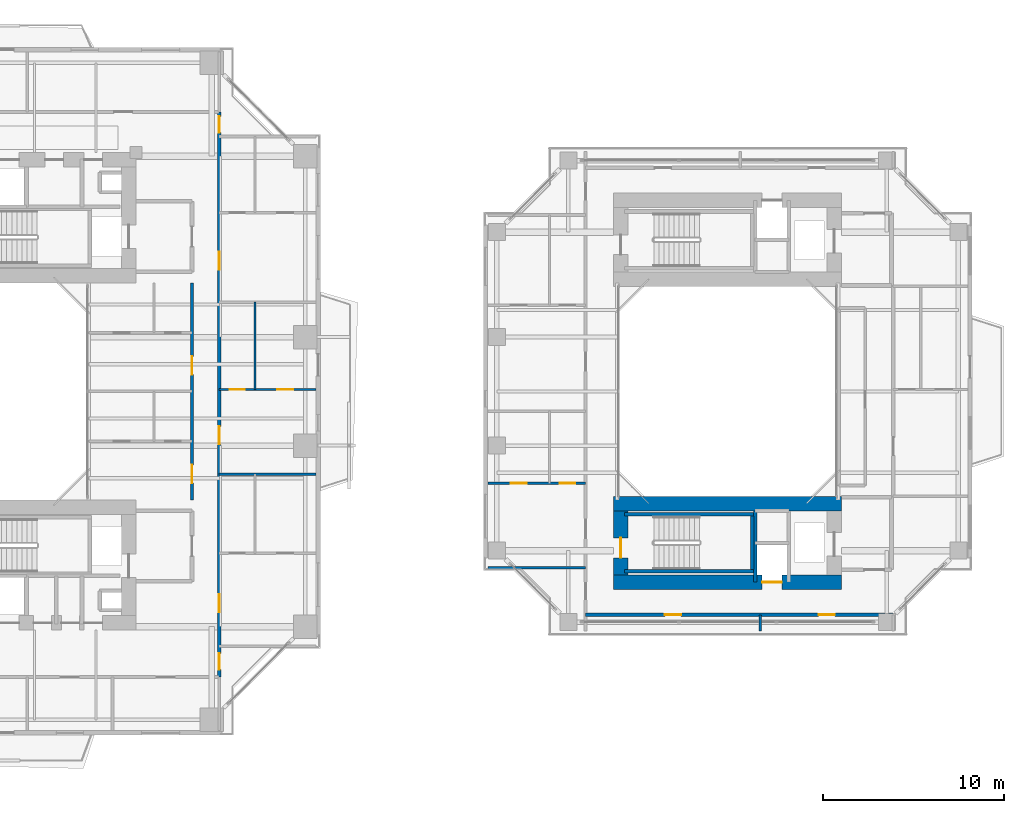
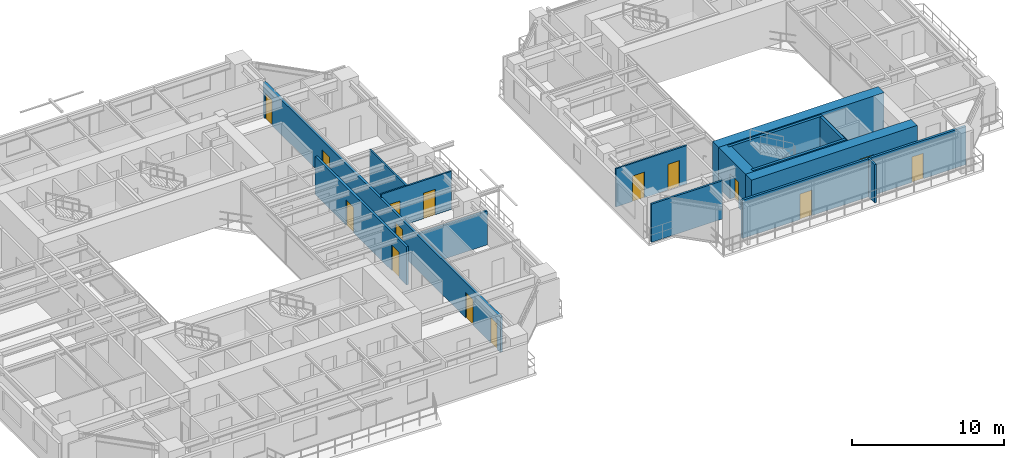
# One storey, part 15 of 24: 16 walls, 15 doors, 15 openings.
"""IFC4 building model written with IfcOpenShell, lengths in metres."""

from ifc_helpers import new_model, si_unit, direction, frame, frame_2d, origin, place, context, subcontext, project, spatial, rectangle, extrude, source, transform, mapped, material, layer, layer_set, type_object, element, fill, save


model = new_model("IFC4")

# Units and contexts
model_context = context("Model", 3, precision=1e-05, world=origin(), true_north=direction((0.0, 1.0)))
body_context = subcontext(model_context, "Body", "Model", "MODEL_VIEW")
ifc_project = project(units=[si_unit("LENGTHUNIT", "METRE"), si_unit("AREAUNIT", "SQUARE_METRE"), si_unit("VOLUMEUNIT", "CUBIC_METRE"), si_unit("PLANEANGLEUNIT", "RADIAN"), si_unit("MASSUNIT", "GRAM", prefix="KILO"), si_unit("THERMODYNAMICTEMPERATUREUNIT", "KELVIN"), si_unit("POWERUNIT", "WATT")], contexts=[model_context])

# Site, building, storey
site_placement = place(None, origin())
site = spatial("IfcSite", under=ifc_project, at=site_placement, CompositionType="ELEMENT")
building_placement = place(site_placement, origin())
building = spatial("IfcBuilding", under=site, at=building_placement, Name="Qiaomeng Ring Towers", CompositionType="ELEMENT")
storey_placement = place(building_placement, frame((0.0, 0.0, 56.75)))
storey = spatial("IfcBuildingStorey", under=building, at=storey_placement, Name="L15", CompositionType="ELEMENT", Elevation=56.75)

# Wall, openings, doors
ifc_material_1 = material(Name="Autoclaved aerated concrete block", Category="concrete")
ifc_layer_1 = layer(ifc_material_1, 0.179931640625, Name="Autoclaved aerated concrete block")
ifc_layer_set_1 = layer_set([ifc_layer_1], Name="Autoclaved aerated concrete block")
wall_type_1 = type_object("IfcWallType", Name="ARC-WL-PW2", PredefinedType="PARTITIONING", material=ifc_layer_set_1)
wall_1_placement = place(storey_placement, frame((32.39990234375, 7.2099609375, 0.0), z_axis=(0.0, 0.0, 1.0), x_axis=(0.0, 1.0, 0.0)))
wall_1 = element("IfcWall", 1, at=wall_1_placement, inside=storey, type_object=wall_type_1, Name="L15 Interior Wall PW2", PredefinedType="PARTITIONING", context=body_context, shape_type="SweptSolid", body=[
    extrude(rectangle(XDim=31.22998046875, YDim=0.179931640625, at=frame_2d((15.614990234375, 0.0))), origin(), (0.0, 0.0, 1.0), 2.81494140625),
])
opening_1_placement = place(wall_1_placement, frame((30.090087890625, 0.0, 0.0)))
opening_1 = element("IfcOpeningElement", 2, at=opening_1_placement, cuts=wall_1, Name="Opening ID1", PredefinedType="OPENING", context=body_context, shape_type="SweptSolid", body=[
    extrude(rectangle(XDim=0.89990234375, YDim=2.050048828125, at=frame_2d((0.449951171875, 1.02490234375))), frame((0.0, 0.099853515625, 0.0), z_axis=(0.0, -1.0, 0.0), x_axis=(1.0, 0.0, 0.0)), (0.0, 0.0, 1.0), 0.199951171875),
])
opening_2_placement = place(wall_1_placement, frame((0.4150390625, 0.0, 0.0)))
opening_2 = element("IfcOpeningElement", 3, at=opening_2_placement, cuts=wall_1, Name="Opening ID1", PredefinedType="OPENING", context=body_context, shape_type="SweptSolid", body=[
    extrude(rectangle(XDim=0.89990234375, YDim=2.050048828125, at=frame_2d((0.449951171875, 1.02490234375))), frame((0.0, 0.099853515625, 0.0), z_axis=(0.0, -1.0, 0.0), x_axis=(1.0, 0.0, 0.0)), (0.0, 0.0, 1.0), 0.199951171875),
])
opening_3_placement = place(wall_1_placement, frame((3.5849609375, 0.0, 0.0)))
opening_3 = element("IfcOpeningElement", 4, at=opening_3_placement, cuts=wall_1, Name="Opening FD4", PredefinedType="OPENING", context=body_context, shape_type="SweptSolid", body=[
    extrude(rectangle(XDim=1.0, YDim=2.050048828125, at=frame_2d((0.5, 1.02490234375))), frame((0.0, 0.099853515625, 0.0), z_axis=(0.0, -1.0, 0.0), x_axis=(1.0, 0.0, 0.0)), (0.0, 0.0, 1.0), 0.199951171875),
])
opening_4_placement = place(wall_1_placement, frame((12.860107421875, 0.0, 0.0)))
opening_4 = element("IfcOpeningElement", 5, at=opening_4_placement, cuts=wall_1, Name="Opening FD4", PredefinedType="OPENING", context=body_context, shape_type="SweptSolid", body=[
    extrude(rectangle(XDim=1.0, YDim=2.050048828125, at=frame_2d((0.5, 1.02490234375))), frame((0.0, 0.099853515625, 0.0), z_axis=(0.0, -1.0, 0.0), x_axis=(1.0, 0.0, 0.0)), (0.0, 0.0, 1.0), 0.199951171875),
])
opening_5_placement = place(wall_1_placement, frame((22.5, 0.0, 0.0)))
opening_5 = element("IfcOpeningElement", 6, at=opening_5_placement, cuts=wall_1, Name="Opening FD4", PredefinedType="OPENING", context=body_context, shape_type="SweptSolid", body=[
    extrude(rectangle(XDim=1.0, YDim=2.050048828125, at=frame_2d((0.5, 1.02490234375))), frame((0.0, 0.099853515625, 0.0), z_axis=(0.0, -1.0, 0.0), x_axis=(1.0, 0.0, 0.0)), (0.0, 0.0, 1.0), 0.199951171875),
])
ifc_material_2 = material(Name="Engineered fire-rated oak timber", Category="wood")
door_type_1 = type_object("IfcDoorType", Name="ARC-DR-FD4", OperationType="NOTDEFINED", PredefinedType="DOOR", material=ifc_material_2)
shared_shape_1 = source(origin(), body_context, "Body", "SweptSolid", [
    extrude(rectangle(XDim=1.0, YDim=2.050048828125, at=frame_2d((0.5, 1.02490234375))), frame((0.0, 0.02490234375, 0.0), z_axis=(0.0, -1.0, 0.0), x_axis=(1.0, 0.0, 0.0)), (0.0, 0.0, 1.0), 0.050048828125),
])
door_1_placement = place(opening_3_placement, origin())
door_1 = element("IfcDoor", 7, at=door_1_placement, inside=storey, type_object=door_type_1, Name="L15 Door FD4", OperationType="SINGLE_SWING_LEFT", OverallHeight=2.050048828125, OverallWidth=1.0, PredefinedType="DOOR", context=body_context, shape_type="MappedRepresentation", body=[
    mapped(shared_shape_1, transform((0.0, 0.0, 0.0), x_axis=(1.0, 0.0, 0.0), y_axis=(0.0, 1.0, 0.0), z_axis=(0.0, 0.0, 1.0), scale=1.0)),
])
fill(opening_3, door_1)
door_2_placement = place(opening_4_placement, origin())
door_2 = element("IfcDoor", 8, at=door_2_placement, inside=storey, type_object=door_type_1, Name="L15 Door FD4", OperationType="SINGLE_SWING_RIGHT", OverallHeight=2.050048828125, OverallWidth=1.0, PredefinedType="DOOR", context=body_context, shape_type="MappedRepresentation", body=[
    mapped(shared_shape_1, transform((0.0, 0.0, 0.0), x_axis=(1.0, 0.0, 0.0), y_axis=(0.0, 1.0, 0.0), z_axis=(0.0, 0.0, 1.0), scale=1.0)),
])
fill(opening_4, door_2)
door_3_placement = place(opening_5_placement, origin())
door_3 = element("IfcDoor", 9, at=door_3_placement, inside=storey, type_object=door_type_1, Name="L15 Door FD4", OperationType="SINGLE_SWING_LEFT", OverallHeight=2.050048828125, OverallWidth=1.0, PredefinedType="DOOR", context=body_context, shape_type="MappedRepresentation", body=[
    mapped(shared_shape_1, transform((0.0, 0.0, 0.0), x_axis=(1.0, 0.0, 0.0), y_axis=(0.0, 1.0, 0.0), z_axis=(0.0, 0.0, 1.0), scale=1.0)),
])
fill(opening_5, door_3)
ifc_material_3 = material(Name="Engineered oak timber", Category="wood")
door_type_2 = type_object("IfcDoorType", Name="ARC-DR-ID1", OperationType="NOTDEFINED", PredefinedType="DOOR", material=ifc_material_3)
shared_shape_2 = source(origin(), body_context, "Body", "SweptSolid", [
    extrude(rectangle(XDim=0.89990234375, YDim=2.050048828125, at=frame_2d((0.449951171875, 1.02490234375))), frame((0.0, 0.02490234375, 0.0), z_axis=(0.0, -1.0, 0.0), x_axis=(1.0, 0.0, 0.0)), (0.0, 0.0, 1.0), 0.050048828125),
])
door_4_placement = place(opening_1_placement, origin())
door_4 = element("IfcDoor", 10, at=door_4_placement, inside=storey, type_object=door_type_2, Name="L15 Door ID1", OperationType="SINGLE_SWING_LEFT", OverallHeight=2.050048828125, OverallWidth=0.89990234375, PredefinedType="DOOR", context=body_context, shape_type="MappedRepresentation", body=[
    mapped(shared_shape_2, transform((0.0, 0.0, 0.0), x_axis=(1.0, 0.0, 0.0), y_axis=(0.0, 1.0, 0.0), z_axis=(0.0, 0.0, 1.0), scale=1.0)),
])
fill(opening_1, door_4)
door_5_placement = place(opening_2_placement, origin())
door_5 = element("IfcDoor", 11, at=door_5_placement, inside=storey, type_object=door_type_2, Name="L15 Door ID1", OperationType="SINGLE_SWING_RIGHT", OverallHeight=2.050048828125, OverallWidth=0.89990234375, PredefinedType="DOOR", context=body_context, shape_type="MappedRepresentation", body=[
    mapped(shared_shape_2, transform((0.0, 0.0, 0.0), x_axis=(1.0, 0.0, 0.0), y_axis=(0.0, 1.0, 0.0), z_axis=(0.0, 0.0, 1.0), scale=1.0)),
])
fill(opening_2, door_5)

wall_2_placement = place(storey_placement, frame((30.89990234375, 17.0, 0.0), z_axis=(0.0, 0.0, 1.0), x_axis=(0.0, 1.0, 0.0)))
wall_2 = element("IfcWall", 12, at=wall_2_placement, inside=storey, type_object=wall_type_1, Name="L15 Interior Wall PW2", PredefinedType="PARTITIONING", context=body_context, shape_type="SweptSolid", body=[
    extrude(rectangle(XDim=12.0, YDim=0.179931640625, at=frame_2d((6.0, 0.0))), origin(), (0.0, 0.0, 1.0), 3.070068359375),
])
opening_6_placement = place(wall_2_placement, frame((0.929931640625, 0.0, 0.0)))
opening_6 = element("IfcOpeningElement", 13, at=opening_6_placement, cuts=wall_2, Name="Opening FD4", PredefinedType="OPENING", context=body_context, shape_type="SweptSolid", body=[
    extrude(rectangle(XDim=1.0, YDim=2.050048828125, at=frame_2d((0.5, 1.02490234375))), frame((0.0, 0.099853515625, 0.0), z_axis=(0.0, -1.0, 0.0), x_axis=(1.0, 0.0, 0.0)), (0.0, 0.0, 1.0), 0.199951171875),
])
opening_7_placement = place(wall_2_placement, frame((6.929931640625, 0.0, 0.0)))
opening_7 = element("IfcOpeningElement", 14, at=opening_7_placement, cuts=wall_2, Name="Opening FD4", PredefinedType="OPENING", context=body_context, shape_type="SweptSolid", body=[
    extrude(rectangle(XDim=1.0, YDim=2.050048828125, at=frame_2d((0.5, 1.02490234375))), frame((0.0, 0.099853515625, 0.0), z_axis=(0.0, -1.0, 0.0), x_axis=(1.0, 0.0, 0.0)), (0.0, 0.0, 1.0), 0.199951171875),
])
door_6_placement = place(opening_6_placement, origin())
door_6 = element("IfcDoor", 15, at=door_6_placement, inside=storey, type_object=door_type_1, Name="L15 Door FD4", OperationType="SINGLE_SWING_RIGHT", OverallHeight=2.050048828125, OverallWidth=1.0, PredefinedType="DOOR", context=body_context, shape_type="MappedRepresentation", body=[
    mapped(shared_shape_1, transform((0.0, 0.0, 0.0), x_axis=(1.0, 0.0, 0.0), y_axis=(0.0, 1.0, 0.0), z_axis=(0.0, 0.0, 1.0), scale=1.0)),
])
fill(opening_6, door_6)
door_7_placement = place(opening_7_placement, origin())
door_7 = element("IfcDoor", 16, at=door_7_placement, inside=storey, type_object=door_type_1, Name="L15 Door FD4", OperationType="SINGLE_SWING_LEFT", OverallHeight=2.050048828125, OverallWidth=1.0, PredefinedType="DOOR", context=body_context, shape_type="MappedRepresentation", body=[
    mapped(shared_shape_1, transform((0.0, 0.0, 0.0), x_axis=(1.0, 0.0, 0.0), y_axis=(0.0, 1.0, 0.0), z_axis=(0.0, 0.0, 1.0), scale=1.0)),
])
fill(opening_7, door_7)

wall_3_placement = place(storey_placement, frame((52.64990234375, 10.64990234375, 0.0), z_axis=(0.0, 0.0, 1.0), x_axis=(1.0, 0.0, 0.0)))
wall_3 = element("IfcWall", 17, at=wall_3_placement, inside=storey, type_object=wall_type_1, Name="L15 Interior Wall PW2", PredefinedType="PARTITIONING", context=body_context, shape_type="SweptSolid", body=[
    extrude(rectangle(XDim=17.0, YDim=0.179931640625, at=frame_2d((8.5, 0.0))), origin(), (0.0, 0.0, 1.0), 3.070068359375),
])
opening_8_placement = place(wall_3_placement, frame((4.375, 0.0, 0.0)))
opening_8 = element("IfcOpeningElement", 18, at=opening_8_placement, cuts=wall_3, Name="Opening ID1", PredefinedType="OPENING", context=body_context, shape_type="SweptSolid", body=[
    extrude(rectangle(XDim=0.89990234375, YDim=2.050048828125, at=frame_2d((0.449951171875, 1.02490234375))), frame((0.0, 0.099853515625, 0.0), z_axis=(0.0, -1.0, 0.0), x_axis=(1.0, 0.0, 0.0)), (0.0, 0.0, 1.0), 0.199951171875),
])
opening_9_placement = place(wall_3_placement, frame((12.875, 0.0, 0.0)))
opening_9 = element("IfcOpeningElement", 19, at=opening_9_placement, cuts=wall_3, Name="Opening ID1", PredefinedType="OPENING", context=body_context, shape_type="SweptSolid", body=[
    extrude(rectangle(XDim=0.89990234375, YDim=2.050048828125, at=frame_2d((0.449951171875, 1.02490234375))), frame((0.0, 0.099853515625, 0.0), z_axis=(0.0, -1.0, 0.0), x_axis=(1.0, 0.0, 0.0)), (0.0, 0.0, 1.0), 0.199951171875),
])
door_8_placement = place(opening_8_placement, origin())
door_8 = element("IfcDoor", 20, at=door_8_placement, inside=storey, type_object=door_type_2, Name="L15 Door ID1", OperationType="SINGLE_SWING_RIGHT", OverallHeight=2.050048828125, OverallWidth=0.89990234375, PredefinedType="DOOR", context=body_context, shape_type="MappedRepresentation", body=[
    mapped(shared_shape_2, transform((0.0, 0.0, 0.0), x_axis=(1.0, 0.0, 0.0), y_axis=(0.0, 1.0, 0.0), z_axis=(0.0, 0.0, 1.0), scale=1.0)),
])
fill(opening_8, door_8)
door_9_placement = place(opening_9_placement, origin())
door_9 = element("IfcDoor", 21, at=door_9_placement, inside=storey, type_object=door_type_2, Name="L15 Door ID1", OperationType="SINGLE_SWING_LEFT", OverallHeight=2.050048828125, OverallWidth=0.89990234375, PredefinedType="DOOR", context=body_context, shape_type="MappedRepresentation", body=[
    mapped(shared_shape_2, transform((0.0, 0.0, 0.0), x_axis=(1.0, 0.0, 0.0), y_axis=(0.0, 1.0, 0.0), z_axis=(0.0, 0.0, 1.0), scale=1.0)),
])
fill(opening_9, door_9)

# Walls
ifc_material_4 = material(Name="Gypsum fireboard steel-stud partition", Category="steel")
ifc_layer_2 = layer(ifc_material_4, 0.14990234375, Name="Gypsum fireboard steel-stud partition")
ifc_layer_set_2 = layer_set([ifc_layer_2], Name="Gypsum fireboard steel-stud partition")
wall_type_2 = type_object("IfcWallType", Name="ARC-WL-PW3", PredefinedType="PARTITIONING", material=ifc_layer_set_2)
wall_4_placement = place(storey_placement, frame((32.39990234375, 18.419921875, 0.0), z_axis=(0.0, 0.0, 1.0), x_axis=(1.0, 0.0, 0.0)))
element("IfcWall", 22, at=wall_4_placement, inside=storey, type_object=wall_type_2, Name="L15 Interior Wall PW3", PredefinedType="PARTITIONING", context=body_context, shape_type="SweptSolid", body=[
    extrude(rectangle(XDim=5.35009765625, YDim=0.14990234375, at=frame_2d((2.675048828125, 0.0))), origin(), (0.0, 0.0, 1.0), 2.715087890625),
])
wall_5_placement = place(storey_placement, frame((47.25, 13.25, 0.0), z_axis=(0.0, 0.0, 1.0), x_axis=(1.0, 0.0, 0.0)))
element("IfcWall", 23, at=wall_5_placement, inside=storey, type_object=wall_type_2, Name="L15 Interior Wall PW3", PredefinedType="PARTITIONING", context=body_context, shape_type="SweptSolid", body=[
    extrude(rectangle(XDim=5.39990234375, YDim=0.14990234375, at=frame_2d((2.699951171875, 0.0))), origin(), (0.0, 0.0, 1.0), 3.070068359375),
])
wall_6_placement = place(storey_placement, frame((62.300048828125, 9.75, 0.0), z_axis=(0.0, 0.0, 1.0), x_axis=(0.0, 1.0, 0.0)))
element("IfcWall", 24, at=wall_6_placement, inside=storey, type_object=wall_type_2, Name="L15 Interior Wall PW3", PredefinedType="PARTITIONING", context=body_context, shape_type="SweptSolid", body=[
    extrude(rectangle(XDim=0.89990234375, YDim=0.14990234375, at=frame_2d((0.449951171875, 0.0))), origin(), (0.0, 0.0, 1.0), 3.070068359375),
])

# Wall, openings, doors
ifc_material_5 = material(Name="Moisture-resistant gypsum steel-stud partition", Category="steel")
ifc_layer_3 = layer(ifc_material_5, 0.1201171875, Name="Moisture-resistant gypsum steel-stud partition")
ifc_layer_set_3 = layer_set([ifc_layer_3], Name="Moisture-resistant gypsum steel-stud partition")
wall_type_3 = type_object("IfcWallType", Name="ARC-WL-PW4", PredefinedType="PLUMBINGWALL", material=ifc_layer_set_3)
wall_7_placement = place(storey_placement, frame((32.39990234375, 23.10009765625, 0.0), z_axis=(0.0, 0.0, 1.0), x_axis=(1.0, 0.0, 0.0)))
wall_7 = element("IfcWall", 25, at=wall_7_placement, inside=storey, type_object=wall_type_3, Name="L15 Interior Wall PW4", PredefinedType="PLUMBINGWALL", context=body_context, shape_type="SweptSolid", body=[
    extrude(rectangle(XDim=5.35009765625, YDim=0.1201171875, at=frame_2d((2.675048828125, 0.0))), origin(), (0.0, 0.0, 1.0), 3.070068359375),
])
opening_10_placement = place(wall_7_placement, frame((0.574951171875, 0.0, 0.0)))
opening_10 = element("IfcOpeningElement", 26, at=opening_10_placement, cuts=wall_7, Name="Opening ID2", PredefinedType="OPENING", context=body_context, shape_type="SweptSolid", body=[
    extrude(rectangle(XDim=0.85009765625, YDim=2.050048828125, at=frame_2d((0.425048828125, 1.02490234375))), frame((0.0, 0.070068359375, 0.0), z_axis=(0.0, -1.0, 0.0), x_axis=(1.0, 0.0, 0.0)), (0.0, 0.0, 1.0), 0.14013671875),
])
opening_11_placement = place(wall_7_placement, frame((3.205078125, 0.0, 0.0)))
opening_11 = element("IfcOpeningElement", 27, at=opening_11_placement, cuts=wall_7, Name="Opening ID1", PredefinedType="OPENING", context=body_context, shape_type="SweptSolid", body=[
    extrude(rectangle(XDim=0.89990234375, YDim=2.050048828125, at=frame_2d((0.449951171875, 1.02490234375))), frame((0.0, 0.070068359375, 0.0), z_axis=(0.0, -1.0, 0.0), x_axis=(1.0, 0.0, 0.0)), (0.0, 0.0, 1.0), 0.14013671875),
])
ifc_material_6 = material(Name="Moisture-resistant engineered timber", Category="wood")
door_type_3 = type_object("IfcDoorType", Name="ARC-DR-ID2", OperationType="NOTDEFINED", PredefinedType="DOOR", material=ifc_material_6)
shared_shape_3 = source(origin(), body_context, "Body", "SweptSolid", [
    extrude(rectangle(XDim=0.85009765625, YDim=2.050048828125, at=frame_2d((0.425048828125, 1.02490234375))), frame((0.0, 0.02490234375, 0.0), z_axis=(0.0, -1.0, 0.0), x_axis=(1.0, 0.0, 0.0)), (0.0, 0.0, 1.0), 0.050048828125),
])
door_10_placement = place(opening_10_placement, origin())
door_10 = element("IfcDoor", 28, at=door_10_placement, inside=storey, type_object=door_type_3, Name="L15 Door ID2", OperationType="SINGLE_SWING_RIGHT", OverallHeight=2.050048828125, OverallWidth=0.85009765625, PredefinedType="DOOR", context=body_context, shape_type="MappedRepresentation", body=[
    mapped(shared_shape_3, transform((0.0, 0.0, 0.0), x_axis=(1.0, 0.0, 0.0), y_axis=(0.0, 1.0, 0.0), z_axis=(0.0, 0.0, 1.0), scale=1.0)),
])
fill(opening_10, door_10)
door_11_placement = place(opening_11_placement, origin())
door_11 = element("IfcDoor", 29, at=door_11_placement, inside=storey, type_object=door_type_2, Name="L15 Door ID1", OperationType="SINGLE_SWING_LEFT", OverallHeight=2.050048828125, OverallWidth=0.89990234375, PredefinedType="DOOR", context=body_context, shape_type="MappedRepresentation", body=[
    mapped(shared_shape_2, transform((0.0, 0.0, 0.0), x_axis=(1.0, 0.0, 0.0), y_axis=(0.0, 1.0, 0.0), z_axis=(0.0, 0.0, 1.0), scale=1.0)),
])
fill(opening_11, door_11)

# Wall
wall_8_placement = place(storey_placement, frame((34.3798828125, 23.10009765625, 0.0), z_axis=(0.0, 0.0, 1.0), x_axis=(0.0, 1.0, 0.0)))
element("IfcWall", 30, at=wall_8_placement, inside=storey, type_object=wall_type_3, Name="L15 Interior Wall PW4", PredefinedType="PLUMBINGWALL", context=body_context, shape_type="SweptSolid", body=[
    extrude(rectangle(XDim=4.829833984375, YDim=0.1201171875, at=frame_2d((2.4150390625, 0.0))), origin(), (0.0, 0.0, 1.0), 3.070068359375),
])

# Wall, openings, doors
wall_9_placement = place(storey_placement, frame((47.25, 17.919921875, 0.0), z_axis=(0.0, 0.0, 1.0), x_axis=(1.0, 0.0, 0.0)))
wall_9 = element("IfcWall", 31, at=wall_9_placement, inside=storey, type_object=wall_type_3, Name="L15 Interior Wall PW4", PredefinedType="PLUMBINGWALL", context=body_context, shape_type="SweptSolid", body=[
    extrude(rectangle(XDim=5.39990234375, YDim=0.1201171875, at=frame_2d((2.699951171875, 0.0))), origin(), (0.0, 0.0, 1.0), 3.070068359375),
])
opening_12_placement = place(wall_9_placement, frame((1.260009765625, 0.0, 0.0)))
opening_12 = element("IfcOpeningElement", 32, at=opening_12_placement, cuts=wall_9, Name="Opening ID1", PredefinedType="OPENING", context=body_context, shape_type="SweptSolid", body=[
    extrude(rectangle(XDim=0.89990234375, YDim=2.050048828125, at=frame_2d((0.449951171875, 1.02490234375))), frame((0.0, 0.070068359375, 0.0), z_axis=(0.0, -1.0, 0.0), x_axis=(1.0, 0.0, 0.0)), (0.0, 0.0, 1.0), 0.14013671875),
])
opening_13_placement = place(wall_9_placement, frame((3.965087890625, 0.0, 0.0)))
opening_13 = element("IfcOpeningElement", 33, at=opening_13_placement, cuts=wall_9, Name="Opening ID2", PredefinedType="OPENING", context=body_context, shape_type="SweptSolid", body=[
    extrude(rectangle(XDim=0.85009765625, YDim=2.050048828125, at=frame_2d((0.425048828125, 1.02490234375))), frame((0.0, 0.070068359375, 0.0), z_axis=(0.0, -1.0, 0.0), x_axis=(1.0, 0.0, 0.0)), (0.0, 0.0, 1.0), 0.14013671875),
])
door_12_placement = place(opening_13_placement, origin())
door_12 = element("IfcDoor", 34, at=door_12_placement, inside=storey, type_object=door_type_3, Name="L15 Door ID2", OperationType="SINGLE_SWING_LEFT", OverallHeight=2.050048828125, OverallWidth=0.85009765625, PredefinedType="DOOR", context=body_context, shape_type="MappedRepresentation", body=[
    mapped(shared_shape_3, transform((0.0, 0.0, 0.0), x_axis=(1.0, 0.0, 0.0), y_axis=(0.0, 1.0, 0.0), z_axis=(0.0, 0.0, 1.0), scale=1.0)),
])
fill(opening_13, door_12)
door_13_placement = place(opening_12_placement, origin())
door_13 = element("IfcDoor", 35, at=door_13_placement, inside=storey, type_object=door_type_2, Name="L15 Door ID1", OperationType="SINGLE_SWING_RIGHT", OverallHeight=2.050048828125, OverallWidth=0.89990234375, PredefinedType="DOOR", context=body_context, shape_type="MappedRepresentation", body=[
    mapped(shared_shape_2, transform((0.0, 0.0, 0.0), x_axis=(1.0, 0.0, 0.0), y_axis=(0.0, 1.0, 0.0), z_axis=(0.0, 0.0, 1.0), scale=1.0)),
])
fill(opening_12, door_13)

# Walls
ifc_material_7 = material(Name="Concrete C40", Category="concrete")
ifc_layer_4 = layer(ifc_material_7, 0.199951171875, Name="Concrete C40")
ifc_layer_set_4 = layer_set([ifc_layer_4], Name="Concrete C40")
wall_type_4 = type_object("IfcWallType", Name="STR-WL-STSHAFT", PredefinedType="SHEAR", material=ifc_layer_set_4)
wall_10_placement = place(storey_placement, frame((62.02001953125, 12.449951171875, 0.0), z_axis=(0.0, 0.0, 1.0), x_axis=(0.0, 1.0, 0.0)))
element("IfcWall", 36, at=wall_10_placement, inside=storey, type_object=wall_type_4, Name="L15 Companion Lift Shaft West Wall S", PredefinedType="SHEAR", context=body_context, shape_type="SweptSolid", body=[
    extrude(rectangle(XDim=3.949951171875, YDim=0.179931640625, at=frame_2d((1.97509765625, 0.0))), origin(), (0.0, 0.0, 1.0), 3.070068359375),
])
for number, where, z_axis, x_axis, name in (
    (37, (54.800048828125, 13.06005859375, 0.0), (0.0, 0.0, 1.0), (1.0, 0.0, 0.0), "L15 Stair ST6 South Shaft Shear Wall"),
    (38, (54.800048828125, 16.199951171875, 0.0), (0.0, 0.0, 1.0), (1.0, 0.0, 0.0), "L15 Stair ST6 North Shaft Shear Wall"),
):
    element("IfcWall", number, at=place(storey_placement, frame(where, z_axis=z_axis, x_axis=x_axis)), inside=storey, type_object=wall_type_4, Name=name, PredefinedType="SHEAR", context=body_context, shape_type="SweptSolid", body=[
        extrude(rectangle(XDim=7.14990234375, YDim=0.199951171875, at=frame_2d((3.574951171875, 0.0))), origin(), (0.0, 0.0, 1.0), 3.25),
    ])
wall_11_placement = place(storey_placement, frame((61.85009765625, 13.159912109375, 0.0), z_axis=(0.0, 0.0, 1.0), x_axis=(0.0, 1.0, 0.0)))
element("IfcWall", 39, at=wall_11_placement, inside=storey, type_object=wall_type_4, Name="L15 Stair ST6 East Shaft Shear Wall", PredefinedType="SHEAR", context=body_context, shape_type="SweptSolid", body=[
    extrude(rectangle(XDim=2.940185546875, YDim=0.199951171875, at=frame_2d((1.47021484375, 0.0))), origin(), (0.0, 0.0, 1.0), 3.25),
])

# Wall, opening, door
ifc_material_8 = material(Name="Concrete C60", Category="concrete")
ifc_layer_5 = layer(ifc_material_8, 0.800048828125, Name="Concrete C60")
ifc_layer_set_5 = layer_set([ifc_layer_5], Name="Concrete C60")
wall_type_5 = type_object("IfcWallType", Name="STR-WL-SW1", PredefinedType="SHEAR", material=ifc_layer_set_5)
wall_12_placement = place(storey_placement, frame((54.199951171875, 12.449951171875, 0.0), z_axis=(0.0, 0.0, 1.0), x_axis=(1.0, 0.0, 0.0)))
wall_12 = element("IfcWall", 40, at=wall_12_placement, inside=storey, type_object=wall_type_5, Name="L15 T2SC south core shear wall", PredefinedType="SHEAR", context=body_context, shape_type="SweptSolid", body=[
    extrude(rectangle(XDim=12.60009765625, YDim=0.800048828125, at=frame_2d((6.300048828125, 0.0))), origin(), (0.0, 0.0, 1.0), 3.25),
])
opening_14_placement = place(wall_12_placement, frame((8.199951171875, 0.0, 0.0)))
opening_14 = element("IfcOpeningElement", 41, at=opening_14_placement, cuts=wall_12, Name="Opening LD1", PredefinedType="OPENING", context=body_context, shape_type="SweptSolid", body=[
    extrude(rectangle(XDim=1.10009765625, YDim=2.050048828125, at=frame_2d((0.550048828125, 1.02490234375))), frame((0.0, 0.409912109375, 0.0), z_axis=(0.0, -1.0, 0.0), x_axis=(1.0, 0.0, 0.0)), (0.0, 0.0, 1.0), 0.820068359375),
])
ifc_material_9 = material(Name="Stainless steel 316", Category="steel")
door_type_4 = type_object("IfcDoorType", Name="ARC-DR-LD1", OperationType="NOTDEFINED", PredefinedType="DOOR", material=ifc_material_9)
shared_shape_4 = source(origin(), body_context, "Body", "SweptSolid", [
    extrude(rectangle(XDim=1.10009765625, YDim=2.050048828125, at=frame_2d((0.550048828125, 1.02490234375))), frame((0.0, 0.02490234375, 0.0), z_axis=(0.0, -1.0, 0.0), x_axis=(1.0, 0.0, 0.0)), (0.0, 0.0, 1.0), 0.050048828125),
])
door_14_placement = place(opening_14_placement, origin())
door_14 = element("IfcDoor", 42, at=door_14_placement, inside=storey, type_object=door_type_4, Name="L15 Companion Lift LP8 Landing Door", OperationType="SLIDING_TO_RIGHT", OverallHeight=2.050048828125, OverallWidth=1.10009765625, PredefinedType="DOOR", context=body_context, shape_type="MappedRepresentation", body=[
    mapped(shared_shape_4, transform((0.0, 0.0, 0.0), x_axis=(1.0, 0.0, 0.0), y_axis=(0.0, 1.0, 0.0), z_axis=(0.0, 0.0, 1.0), scale=1.0)),
])
fill(opening_14, door_14)

# Wall
wall_13_placement = place(storey_placement, frame((54.199951171875, 16.800048828125, 0.0), z_axis=(0.0, 0.0, 1.0), x_axis=(1.0, 0.0, 0.0)))
element("IfcWall", 43, at=wall_13_placement, inside=storey, type_object=wall_type_5, Name="L15 T2SC north core shear wall", PredefinedType="SHEAR", context=body_context, shape_type="SweptSolid", body=[
    extrude(rectangle(XDim=12.60009765625, YDim=0.800048828125, at=frame_2d((6.300048828125, 0.0))), origin(), (0.0, 0.0, 1.0), 3.25),
])

# Wall, opening, door
wall_14_placement = place(storey_placement, frame((54.60009765625, 12.85009765625, 0.0), z_axis=(0.0, 0.0, 1.0), x_axis=(0.0, 1.0, 0.0)))
wall_14 = element("IfcWall", 44, at=wall_14_placement, inside=storey, type_object=wall_type_5, Name="L15 T2SC west core shear wall", PredefinedType="SHEAR", context=body_context, shape_type="SweptSolid", body=[
    extrude(rectangle(XDim=3.5498046875, YDim=0.800048828125, at=frame_2d((1.77490234375, 0.0))), origin(), (0.0, 0.0, 1.0), 3.25),
])
opening_15_placement = place(wall_14_placement, frame((0.949951171875, 0.0, 0.0)))
opening_15 = element("IfcOpeningElement", 45, at=opening_15_placement, cuts=wall_14, Name="Opening FD3", PredefinedType="OPENING", context=body_context, shape_type="SweptSolid", body=[
    extrude(rectangle(XDim=1.10009765625, YDim=2.050048828125, at=frame_2d((0.550048828125, 1.02490234375))), frame((0.0, 0.409912109375, 0.0), z_axis=(0.0, -1.0, 0.0), x_axis=(1.0, 0.0, 0.0)), (0.0, 0.0, 1.0), 0.820068359375),
])
ifc_material_10 = material(Name="Galvanised steel", Category="steel")
door_type_5 = type_object("IfcDoorType", Name="ARC-DR-FD3", OperationType="NOTDEFINED", PredefinedType="DOOR", material=ifc_material_10)
door_15_placement = place(opening_15_placement, origin())
door_15 = element("IfcDoor", 46, at=door_15_placement, inside=storey, type_object=door_type_5, Name="L15 Stair ST6 Exit Door", OperationType="SINGLE_SWING_LEFT", OverallHeight=2.050048828125, OverallWidth=1.10009765625, PredefinedType="DOOR", context=body_context, shape_type="MappedRepresentation", body=[
    mapped(shared_shape_4, transform((0.0, 0.0, 0.0), x_axis=(1.0, 0.0, 0.0), y_axis=(0.0, 1.0, 0.0), z_axis=(0.0, 0.0, 1.0), scale=1.0)),
])
fill(opening_15, door_15)

save(model, "model.ifc")
